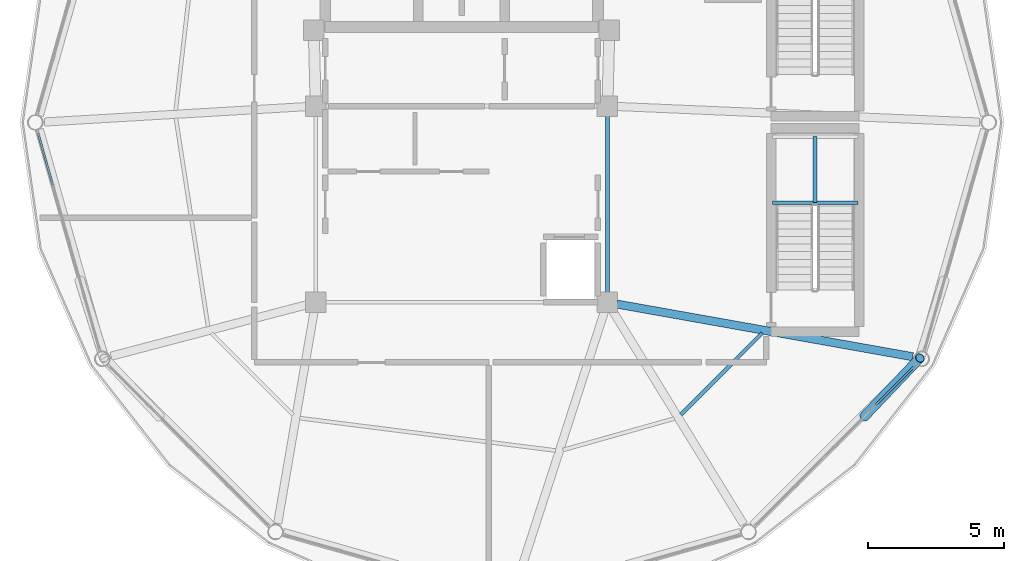
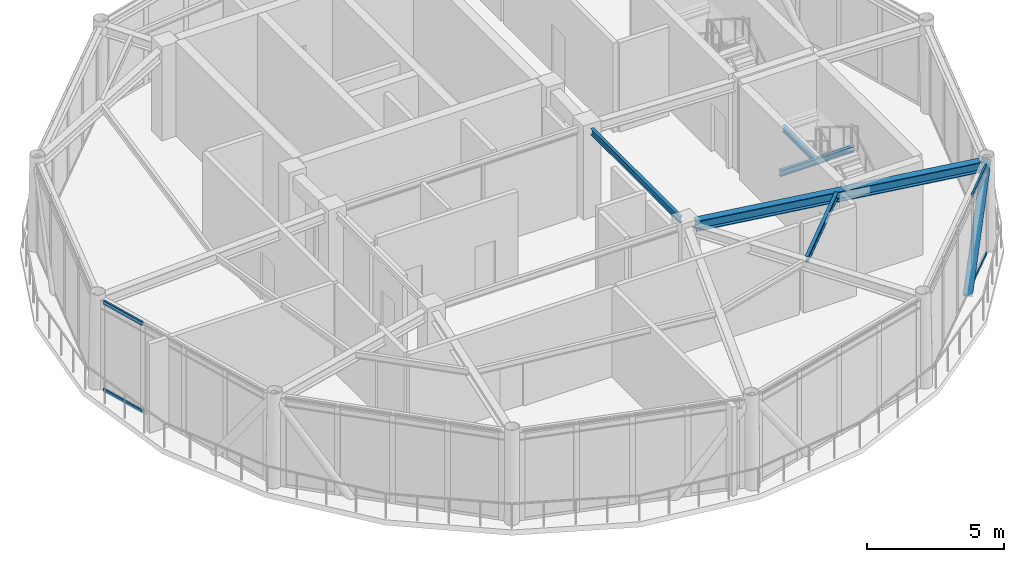
# One storey, part 6 of 20: 5 beams, 5 members, 2 elements without a shape of their own.
"""IFC4 building model written with IfcOpenShell, lengths in metres."""

from ifc_helpers import new_model, si_unit, direction, frame, origin, origin_2d, place, context, subcontext, project, spatial, hollow_rectangle, hollow_circle, i_section, extrude, material, layer, layer_set, material_profile, profile_set, type_object, element, aggregate, save


model = new_model("IFC4")

# Units and contexts
model_context = context("Model", 3, precision=1e-05, world=origin(), true_north=direction((0.0, 1.0)))
body_context = subcontext(model_context, "Body", "Model", "MODEL_VIEW")
ifc_project = project(units=[si_unit("LENGTHUNIT", "METRE"), si_unit("AREAUNIT", "SQUARE_METRE"), si_unit("VOLUMEUNIT", "CUBIC_METRE"), si_unit("PLANEANGLEUNIT", "RADIAN"), si_unit("MASSUNIT", "GRAM", prefix="KILO")], contexts=[model_context])

# Site, building, storey
site_placement = place(None, origin())
site = spatial("IfcSite", under=ifc_project, at=site_placement, CompositionType="ELEMENT")
building_placement = place(site_placement, origin())
building = spatial("IfcBuilding", under=site, at=building_placement, Name="Varnakorn Sky Granary", CompositionType="ELEMENT")
storey_placement = place(building_placement, frame((0.0, 0.0, 302.39990234375)))
storey = spatial("IfcBuildingStorey", under=building, at=storey_placement, Name="L77", CompositionType="ELEMENT", Elevation=302.39990234375)

# Beams
ifc_material_1 = material(Name="Steel S355JR", Category="steel")
ifc_material_profile_1 = material_profile(ifc_material_1, i_section(OverallWidth=0.135009765625, OverallDepth=0.27001953125, WebThickness=0.006591796875, FlangeThickness=0.01025390625, at=origin_2d()), Name="IPE 270")
ifc_profile_set_1 = profile_set([ifc_material_profile_1], Name="Steel S355JR")
beam_type_1 = type_object("IfcBeamType", Name="BM-LND-270", PredefinedType="BEAM", material=ifc_profile_set_1)
beam_1_placement = place(storey_placement, frame((14.39990234375, -2.93994140625, 1.76513671875), z_axis=(1.0, 0.0, 0.0), x_axis=(0.0, 1.0, 0.0)))
element("IfcBeam", 1, at=beam_1_placement, inside=storey, type_object=beam_type_1, Name="Stair ST-C2 Landing Trimmer Beam A L77-1", PredefinedType="BEAM", context=body_context, shape_type="SweptSolid", body=[
    extrude(i_section(OverallWidth=0.135009765625, OverallDepth=0.27001953125, WebThickness=0.006591796875, FlangeThickness=0.01025390625, at=origin_2d()), origin(), (0.0, 0.0, 1.0), 3.130126953125),
])
beam_2_placement = place(storey_placement, frame((15.965087890625, -2.93994140625, 1.76513671875), z_axis=(0.0, 1.0, 0.0), x_axis=(-1.0, 0.0, 0.0)))
element("IfcBeam", 2, at=beam_2_placement, inside=storey, type_object=beam_type_1, Name="Stair ST-C2 Landing Cross Beam C L77-1", PredefinedType="BEAM", context=body_context, shape_type="SweptSolid", body=[
    extrude(i_section(OverallWidth=0.135009765625, OverallDepth=0.27001953125, WebThickness=0.006591796875, FlangeThickness=0.01025390625, at=origin_2d()), origin(), (0.0, 0.0, 1.0), 2.419921875),
])
ifc_material_profile_2 = material_profile(ifc_material_1, i_section(OverallWidth=0.300048828125, OverallDepth=0.449951171875, WebThickness=0.013916015625, FlangeThickness=0.02587890625, at=origin_2d()), Name="HE 450 B")
ifc_profile_set_2 = profile_set([ifc_material_profile_2], Name="Steel S355JR")
beam_type_2 = type_object("IfcBeamType", Name="BM-RAD-Z5", PredefinedType="BEAM", material=ifc_profile_set_2)
beam_3_placement = place(storey_placement, frame((8.699462890625, -6.662109375, 3.735107421875), z_axis=(0.984525745084, -0.175239999052, 0.0), x_axis=(0.175239999052, 0.984525745084, 0.0)))
element("IfcBeam", 3, at=beam_3_placement, inside=storey, type_object=beam_type_2, Name="Radial Floor Girder RG12 L77", PredefinedType="BEAM", context=body_context, shape_type="SweptSolid", body=[
    extrude(i_section(OverallWidth=0.300048828125, OverallDepth=0.449951171875, WebThickness=0.013916015625, FlangeThickness=0.02587890625, at=origin_2d()), origin(), (0.0, 0.0, 1.0), 11.0185546875),
])
ifc_material_profile_3 = material_profile(ifc_material_1, i_section(OverallWidth=0.135009765625, OverallDepth=0.27001953125, WebThickness=0.006591796875, FlangeThickness=0.01025390625, at=origin_2d()), Name="IPE 270")
ifc_profile_set_3 = profile_set([ifc_material_profile_3], Name="Steel S355JR")
beam_type_3 = type_object("IfcBeamType", Name="BM-SEC-Z5", PredefinedType="BEAM", material=ifc_profile_set_3)
beam_4_placement = place(storey_placement, frame((11.04052734375, -10.721435546875, 3.8251953125), z_axis=(0.705864091036, 0.708347291225, 0.0), x_axis=(-0.708347291225, 0.705864091036, 0.0)))
element("IfcBeam", 4, at=beam_4_placement, inside=storey, type_object=beam_type_3, Name="Secondary Floor Chord Beam MSB11 L77", PredefinedType="BEAM", context=body_context, shape_type="SweptSolid", body=[
    extrude(i_section(OverallWidth=0.135009765625, OverallDepth=0.27001953125, WebThickness=0.006591796875, FlangeThickness=0.01025390625, at=origin_2d()), origin(), (0.0, 0.0, 1.0), 4.2275390625),
])
beam_5_placement = place(storey_placement, frame((8.35009765625, 0.2451171875, 3.8251953125), z_axis=(0.0, -1.0, 0.0), x_axis=(1.0, 0.0, 0.0)))
element("IfcBeam", 5, at=beam_5_placement, inside=storey, type_object=beam_type_3, Name="Core Spine Framing Beam 4 L77", PredefinedType="BEAM", context=body_context, shape_type="SweptSolid", body=[
    extrude(i_section(OverallWidth=0.135009765625, OverallDepth=0.27001953125, WebThickness=0.006591796875, FlangeThickness=0.01025390625, at=origin_2d()), origin(), (0.0, 0.0, 1.0), 6.490234375),
])

# Curtain wall, members
ifc_material_2 = material(Name="Anodised Bronze Aluminium Alloy 6063-T6", Category="aluminium")
ifc_layer = layer(ifc_material_2, 0.22998046875, Name="Anodised Bronze Aluminium Alloy 6063-T6")
ifc_layer_set = layer_set([ifc_layer], Name="Anodised Bronze Aluminium Alloy 6063-T6")
curtain_wall_type = type_object("IfcCurtainWallType", Name="CW-LNT-1", PredefinedType="USERDEFINED", material=ifc_layer_set)
curtain_wall_1_placement = place(storey_placement, origin())
curtain_wall_1 = element("IfcCurtainWall", 6, at=curtain_wall_1_placement, inside=storey, type_object=curtain_wall_type, Name="Unitised Curtain Wall CW7 CW-L77-B07", ObjectType="CURTAIN WALL", PredefinedType="USERDEFINED")
ifc_material_profile_4 = material_profile(ifc_material_2, hollow_rectangle(XDim=0.074951171875, YDim=0.159912109375, WallThickness=0.00390625, at=origin_2d()), Name="ALU TRAN 75x160")
ifc_profile_set_4 = profile_set([ifc_material_profile_4], Name="Anodised Bronze Aluminium Alloy 6063-T6")
member_type_1 = type_object("IfcMemberType", Name="CW-LNT-1-TRAN", PredefinedType="USERDEFINED", material=ifc_profile_set_4)
member_1_placement = place(storey_placement, frame((-11.99169921875, -2.296142578125, 0.03759765625), z_axis=(-0.272938666606, 0.962031436218, 0.0), x_axis=(-0.962031436218, -0.272938666606, 0.0)))
member_1 = element("IfcMember", 7, at=member_1_placement, type_object=member_type_1, Name="CW7 transom 4.1", ObjectType="TRANSOM", PredefinedType="USERDEFINED", context=body_context, shape_type="SweptSolid", body=[
    extrude(hollow_rectangle(XDim=0.074951171875, YDim=0.159912109375, WallThickness=0.00390625, at=origin_2d()), origin(), (0.0, 0.0, 1.0), 1.972412109375),
])
member_2_placement = place(storey_placement, frame((-11.99169921875, -2.296142578125, 3.922607421875), z_axis=(-0.272938666606, 0.962031436218, 0.0), x_axis=(-0.962031436218, -0.272938666606, 0.0)))
member_2 = element("IfcMember", 8, at=member_2_placement, type_object=member_type_1, Name="CW7 transom 4.2", ObjectType="TRANSOM", PredefinedType="USERDEFINED", context=body_context, shape_type="SweptSolid", body=[
    extrude(hollow_rectangle(XDim=0.074951171875, YDim=0.159912109375, WallThickness=0.00390625, at=origin_2d()), origin(), (0.0, 0.0, 1.0), 1.972412109375),
])
aggregate(curtain_wall_1, [member_1, member_2])

curtain_wall_2_placement = place(storey_placement, origin())
curtain_wall_2 = element("IfcCurtainWall", 9, at=curtain_wall_2_placement, inside=storey, type_object=curtain_wall_type, Name="Unitised Curtain Wall CW7 CW-L77-B11", ObjectType="CURTAIN WALL", PredefinedType="USERDEFINED")
member_3_placement = place(storey_placement, frame((19.58935546875, -8.968505859375, 0.03759765625), z_axis=(-0.707231107651, -0.706982432859, 0.0), x_axis=(0.706982432859, -0.707231107651, 0.0)))
member_3 = element("IfcMember", 10, at=member_3_placement, type_object=member_type_1, Name="CW7 transom 1.1", ObjectType="TRANSOM", PredefinedType="USERDEFINED", context=body_context, shape_type="SweptSolid", body=[
    extrude(hollow_rectangle(XDim=0.074951171875, YDim=0.159912109375, WallThickness=0.00390625, at=origin_2d()), origin(), (0.0, 0.0, 1.0), 1.963623046875),
])
member_4_placement = place(storey_placement, frame((19.58935546875, -8.968505859375, 3.922607421875), z_axis=(-0.707231107651, -0.706982432859, 0.0), x_axis=(0.706982432859, -0.707231107651, 0.0)))
member_4 = element("IfcMember", 11, at=member_4_placement, type_object=member_type_1, Name="CW7 transom 1.2", ObjectType="TRANSOM", PredefinedType="USERDEFINED", context=body_context, shape_type="SweptSolid", body=[
    extrude(hollow_rectangle(XDim=0.074951171875, YDim=0.159912109375, WallThickness=0.00390625, at=origin_2d()), origin(), (0.0, 0.0, 1.0), 1.963623046875),
])
aggregate(curtain_wall_2, [member_3, member_4])

# Member
ifc_material_3 = material(Name="Steel S460M", Category="steel")
ifc_material_profile_5 = material_profile(ifc_material_3, hollow_circle(Radius=0.177734375, WallThickness=0.01416015625, at=origin_2d()), Name="CHS 355.6x14")
ifc_profile_set_5 = profile_set([ifc_material_profile_5], Name="Steel S460M")
member_type_2 = type_object("IfcMemberType", Name="MB-DIAG-T5", PredefinedType="BRACE", material=ifc_profile_set_5)
member_5_placement = place(storey_placement, frame((17.7646484375, -10.79248046875, -0.1298828125), z_axis=(0.404345622665, 0.42603632572, 0.809319261231), x_axis=(-0.725329956346, 0.688401375963, 0.0)))
element("IfcMember", 12, at=member_5_placement, inside=storey, type_object=member_type_2, Name="Perimeter CHS Diagrid Brace DG11 L77", PredefinedType="BRACE", context=body_context, shape_type="SweptSolid", body=[
    extrude(hollow_circle(Radius=0.177734375, WallThickness=0.01416015625, at=origin_2d()), origin(), (0.0, 0.0, 1.0), 5.0537109375),
])

save(model, "model.ifc")
